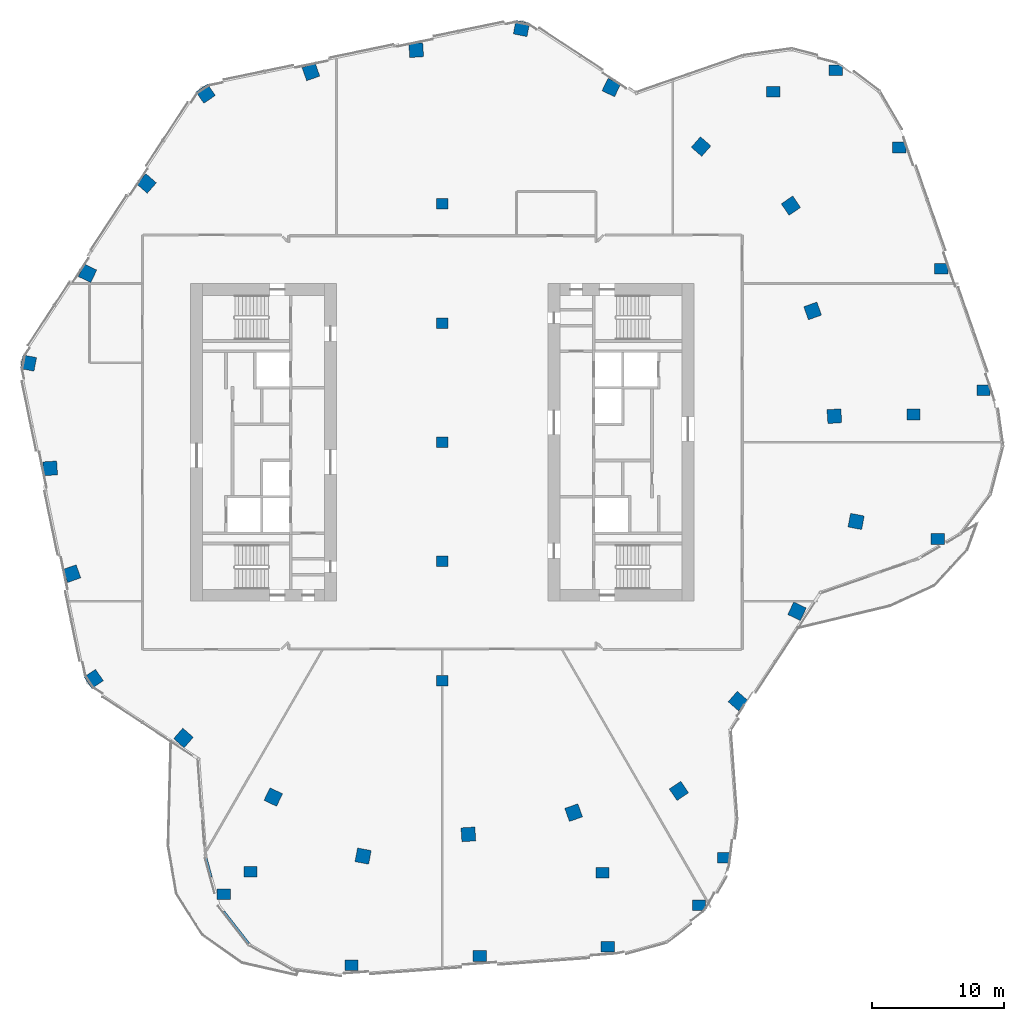
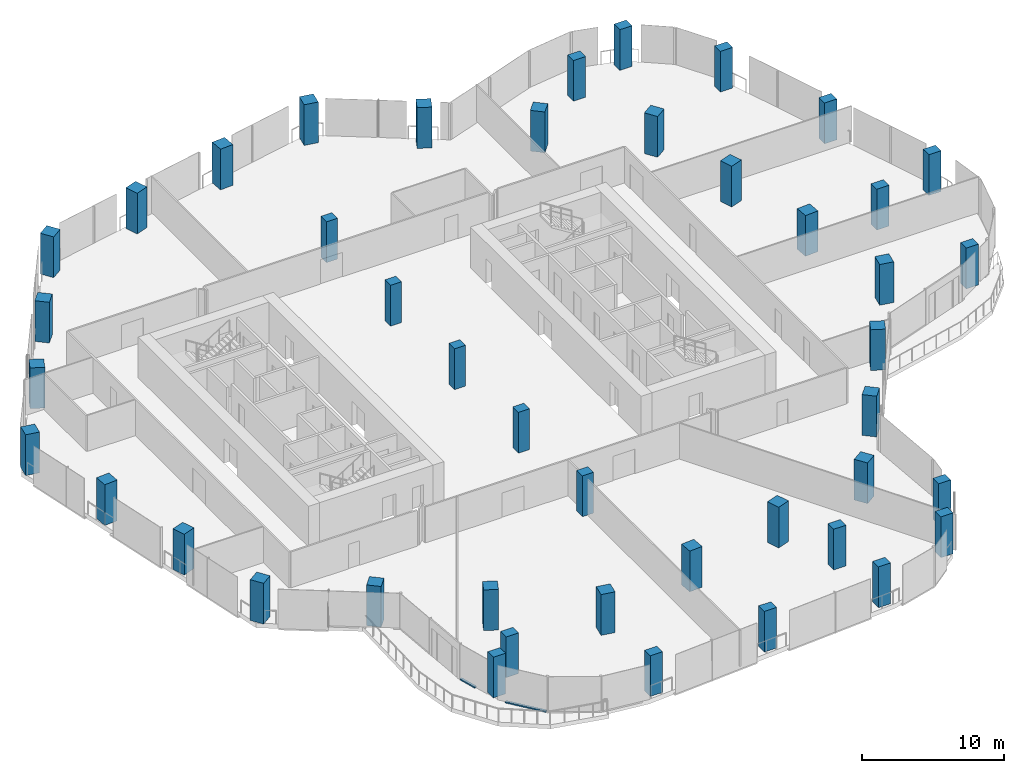
# One storey, part 1 of 26: 44 columns, 2 members, 2 elements without a shape of their own.
"""IFC4 building model written with IfcOpenShell, lengths in metres."""

from ifc_helpers import new_model, si_unit, direction, frame, origin, origin_2d, place, context, subcontext, project, spatial, rectangle, extrude, material, material_profile, profile_set, type_object, element, aggregate, save


model = new_model("IFC4")

# Units and contexts
model_context = context("Model", 3, precision=1e-05, world=origin(), true_north=direction((0.0, 1.0)))
body_context = subcontext(model_context, "Body", "Model", "MODEL_VIEW")
ifc_project = project(units=[si_unit("LENGTHUNIT", "METRE"), si_unit("AREAUNIT", "SQUARE_METRE"), si_unit("VOLUMEUNIT", "CUBIC_METRE"), si_unit("PLANEANGLEUNIT", "RADIAN"), si_unit("MASSUNIT", "GRAM", prefix="KILO")], contexts=[model_context])

# Site, building, storey
site_placement = place(None, origin())
site = spatial("IfcSite", under=ifc_project, at=site_placement, CompositionType="ELEMENT")
building_placement = place(site_placement, origin())
building = spatial("IfcBuilding", under=site, at=building_placement, Name="Orlundy Tower", CompositionType="ELEMENT")
storey_placement = place(building_placement, frame((0.0, 0.0, 232.0)))
storey = spatial("IfcBuildingStorey", under=building, at=storey_placement, Name="L61", CompositionType="ELEMENT", Elevation=232.0)

# Columns
ifc_material_1 = material(Name="Concrete C60/75", Category="concrete")
ifc_material_profile_1 = material_profile(ifc_material_1, rectangle(XDim=1.0, YDim=0.800048828125, at=origin_2d()), Name="RC1000X800")
ifc_profile_set_1 = profile_set([ifc_material_profile_1], Name="Concrete C60/75")
column_type_1 = type_object("IfcColumnType", Name="RC COLUMN RC1000X800 C60/75", PredefinedType="COLUMN", material=ifc_profile_set_1)
for number, where, z_axis, x_axis, name in (
    (1, (37.423095703125, -7.302001953125, 0.0), (0.0, 0.0, 1.0), (1.0, 0.0, 0.0), "Column C-A1-1 L61"),
    (2, (40.873046875, 3.93798828125, 0.0), (0.0, 0.0, 1.0), (1.0, 0.0, 0.0), "Column C-A2-5 L61"),
    (3, (35.5830078125, 2.09912109375, 0.0), (0.0, 0.0, 1.0), (1.0, 0.0, 0.0), "Column C-A2-6 L61"),
    (4, (37.68798828125, 13.10009765625, 0.0), (0.0, 0.0, 1.0), (1.0, 0.0, 0.0), "Column C-A3-5 L61"),
    (5, (34.50390625, 22.261962890625, 0.0), (0.0, 0.0, 1.0), (1.0, 0.0, 0.0), "Column C-A4-5 L61"),
    (6, (29.7119140625, 28.10595703125, 0.0), (0.0, 0.0, 1.0), (1.0, 0.0, 0.0), "Column C-A5-5 L61"),
    (7, (24.989990234375, 26.465087890625, 0.0), (0.0, 0.0, 1.0), (1.0, 0.0, 0.0), "Column C-A5-6 L61"),
    (8, (-16.4970703125, -34.132080078125, 0.0), (0.0, 0.0, 1.0), (1.0, 0.0, 0.0), "Column C-B1-1 L61"),
    (9, (-14.47509765625, -32.430908203125, 0.0), (0.0, 0.0, 1.0), (1.0, 0.0, 0.0), "Column C-B1-6 L61"),
    (10, (-6.847900390625, -39.501953125, 0.0), (0.0, 0.0, 1.0), (1.0, 0.0, 0.0), "Column C-B2-5 L61"),
    (11, (2.825927734375, -38.797119140625, 0.0), (0.0, 0.0, 1.0), (1.0, 0.0, 0.0), "Column C-B3-5 L61"),
    (12, (12.5009765625, -38.092041015625, 0.0), (0.0, 0.0, 1.0), (1.0, 0.0, 0.0), "Column C-B4-5 L61"),
    (13, (12.093994140625, -32.507080078125, 0.0), (0.0, 0.0, 1.0), (1.0, 0.0, 0.0), "Column C-B4-6 L61"),
    (14, (21.27001953125, -31.3798828125, 0.0), (0.0, 0.0, 1.0), (1.0, 0.0, 0.0), "Column C-B5-1 L61"),
    (15, (19.385986328125, -34.97705078125, 0.0), (0.0, 0.0, 1.0), (1.0, 0.0, 0.0), "Column C-B5-5 L61"),
):
    element("IfcColumn", number, at=place(storey_placement, frame(where, z_axis=z_axis, x_axis=x_axis)), inside=storey, type_object=column_type_1, Name=name, PredefinedType="COLUMN", context=body_context, shape_type="SweptSolid", body=[
        extrude(rectangle(XDim=1.0, YDim=0.800048828125, at=origin_2d()), origin(), (0.0, 0.0, 1.0), 3.5),
    ])
ifc_material_2 = material(Name="Concrete C60/75", Category="concrete")
ifc_material_profile_2 = material_profile(ifc_material_2, rectangle(XDim=1.050048828125, YDim=1.050048828125, at=origin_2d()), Name="RC1050X1050")
ifc_profile_set_2 = profile_set([ifc_material_profile_2], Name="Concrete C60/75")
column_type_2 = type_object("IfcColumnType", Name="RC COLUMN RC1050X1050 C60/75", PredefinedType="COLUMN", material=ifc_profile_set_2)
for number, where, z_axis, x_axis, name in (
    (16, (5.98095703125, 31.2548828125, 0.0), (0.0, 0.0, 1.0), (0.187947040317, 0.982179163919, 0.0), "Column C-H01 L61"),
    (17, (12.763916015625, 26.7939453125, 0.0), (0.0, 0.0, 1.0), (0.430069959039, 0.902795563975, 0.0), "Column C-H02 L61"),
    (18, (19.547119140625, 22.3330078125, 0.0), (0.0, 0.0, 1.0), (0.658610663802, 0.752483882569, 0.0), "Column C-H03 L61"),
    (19, (26.330078125, 17.87109375, 0.0), (0.0, 0.0, 1.0), (0.827413975623, 0.561592479423, 0.0), "Column C-H04 L61"),
    (20, (27.971923828125, 9.9208984375, 0.0), (0.0, 0.0, 1.0), (0.942478249733, 0.334267480891, 0.0), "Column C-H05 L61"),
    (21, (29.613037109375, 1.969970703125, 0.0), (0.0, 0.0, 1.0), (0.997794522634, 0.066378389562, 0.0), "Column C-H06 L61"),
    (22, (31.2548828125, -5.98095703125, 0.0), (0.0, 0.0, 1.0), (0.982179163919, -0.187947040317, 0.0), "Column C-H07 L61"),
    (23, (26.7939453125, -12.763916015625, 0.0), (0.0, 0.0, 1.0), (0.902795563975, -0.430069959039, 0.0), "Column C-H08 L61"),
    (24, (22.3330078125, -19.547119140625, 0.0), (0.0, 0.0, 1.0), (0.752483882569, -0.658610663802, 0.0), "Column C-H09 L61"),
    (25, (17.87109375, -26.330078125, 0.0), (0.0, 0.0, 1.0), (0.561592479423, -0.827413975623, 0.0), "Column C-H10 L61"),
    (26, (9.9208984375, -27.971923828125, 0.0), (0.0, 0.0, 1.0), (0.334267480891, -0.942478249733, 0.0), "Column C-H11 L61"),
    (27, (1.969970703125, -29.613037109375, 0.0), (0.0, 0.0, 1.0), (0.066378389562, -0.997794522634, 0.0), "Column C-H12 L61"),
    (28, (-5.98095703125, -31.2548828125, 0.0), (0.0, 0.0, 1.0), (-0.187947040317, -0.982179163919, 0.0), "Column C-H13 L61"),
    (29, (-12.763916015625, -26.7939453125, 0.0), (0.0, 0.0, 1.0), (-0.430069959039, -0.902795563975, 0.0), "Column C-H14 L61"),
    (30, (-19.547119140625, -22.3330078125, 0.0), (0.0, 0.0, 1.0), (-0.658610663802, -0.752483882569, 0.0), "Column C-H15 L61"),
    (31, (-26.330078125, -17.87109375, 0.0), (0.0, 0.0, 1.0), (-0.827413975623, -0.561592479423, 0.0), "Column C-H16 L61"),
    (32, (-27.971923828125, -9.9208984375, 0.0), (0.0, 0.0, 1.0), (-0.942478249733, -0.334267480891, 0.0), "Column C-H17 L61"),
    (33, (-29.613037109375, -1.969970703125, 0.0), (0.0, 0.0, 1.0), (-0.997794522634, -0.066378389562, 0.0), "Column C-H18 L61"),
    (34, (-31.2548828125, 5.98095703125, 0.0), (0.0, 0.0, 1.0), (-0.982179163919, 0.187947040317, 0.0), "Column C-H19 L61"),
    (35, (-26.7939453125, 12.763916015625, 0.0), (0.0, 0.0, 1.0), (-0.902795563975, 0.430069959039, 0.0), "Column C-H20 L61"),
    (36, (-22.3330078125, 19.547119140625, 0.0), (0.0, 0.0, 1.0), (-0.752483882569, 0.658610663802, 0.0), "Column C-H21 L61"),
    (37, (-17.87109375, 26.330078125, 0.0), (0.0, 0.0, 1.0), (-0.561592479423, 0.827413975623, 0.0), "Column C-H22 L61"),
    (38, (-9.9208984375, 27.971923828125, 0.0), (0.0, 0.0, 1.0), (-0.334267480891, 0.942478249733, 0.0), "Column C-H23 L61"),
    (39, (-1.969970703125, 29.613037109375, 0.0), (0.0, 0.0, 1.0), (-0.066378389562, 0.997794522634, 0.0), "Column C-H24 L61"),
):
    element("IfcColumn", number, at=place(storey_placement, frame(where, z_axis=z_axis, x_axis=x_axis)), inside=storey, type_object=column_type_2, Name=name, PredefinedType="COLUMN", context=body_context, shape_type="SweptSolid", body=[
        extrude(rectangle(XDim=1.050048828125, YDim=1.050048828125, at=origin_2d()), origin(), (0.0, 0.0, 1.0), 3.5),
    ])
ifc_material_3 = material(Name="Concrete C60/75", Category="concrete")
ifc_material_profile_3 = material_profile(ifc_material_3, rectangle(XDim=0.89990234375, YDim=0.800048828125, at=origin_2d()), Name="RC900X800")
ifc_profile_set_3 = profile_set([ifc_material_profile_3], Name="Concrete C60/75")
column_type_3 = type_object("IfcColumnType", Name="RC COLUMN RC900X800 C60/75", PredefinedType="COLUMN", material=ifc_profile_set_3)
for number, where, z_axis, x_axis, name in (
    (40, (0.0, -18.0, 0.0), (0.0, 0.0, 1.0), (1.0, 0.0, 0.0), "Column C-M1 L61"),
    (41, (0.0, -9.0, 0.0), (0.0, 0.0, 1.0), (1.0, 0.0, 0.0), "Column C-M2 L61"),
    (42, (0.0, 0.0, 0.0), (0.0, 0.0, 1.0), (1.0, 0.0, 0.0), "Column C-M3 L61"),
    (43, (0.0, 9.0, 0.0), (0.0, 0.0, 1.0), (1.0, 0.0, 0.0), "Column C-M4 L61"),
    (44, (0.0, 18.0, 0.0), (0.0, 0.0, 1.0), (1.0, 0.0, 0.0), "Column C-M5 L61"),
):
    element("IfcColumn", number, at=place(storey_placement, frame(where, z_axis=z_axis, x_axis=x_axis)), inside=storey, type_object=column_type_3, Name=name, PredefinedType="COLUMN", context=body_context, shape_type="SweptSolid", body=[
        extrude(rectangle(XDim=0.89990234375, YDim=0.800048828125, at=origin_2d()), origin(), (0.0, 0.0, 1.0), 3.5),
    ])

# Curtain wall, member
ifc_material_4 = material(Name="Aluminium bronze anodised", Category="aluminium")
curtain_wall_type = type_object("IfcCurtainWallType", Name="CW1 wall", PredefinedType="NOTDEFINED", material=ifc_material_4)
curtain_wall_1_placement = place(storey_placement, origin())
curtain_wall_1 = element("IfcCurtainWall", 45, at=curtain_wall_1_placement, inside=storey, type_object=curtain_wall_type, Name="CW1 run 010", PredefinedType="NOTDEFINED")
ifc_material_5 = material(Name="Aluminium bronze anodised", Category="aluminium")
ifc_material_profile_4 = material_profile(ifc_material_5, rectangle(XDim=0.179931640625, YDim=0.1201171875, at=origin_2d()), Name="CW1 transom 180x120")
ifc_profile_set_4 = profile_set([ifc_material_profile_4], Name="Aluminium bronze anodised")
member_type = type_object("IfcMemberType", Name="CW1 transom 180x120", PredefinedType="USERDEFINED", material=ifc_profile_set_4)
member_1_placement = place(storey_placement, frame((-14.619384765625, -37.869384765625, 0.06005859375), z_axis=(-0.614596599734, 0.788841568121, 0.0), x_axis=(-0.788841568121, -0.614596599734, 0.0)))
member_1 = element("IfcMember", 46, at=member_1_placement, type_object=member_type, Name="CW1 transom", ObjectType="TRANSOM", PredefinedType="USERDEFINED", context=body_context, shape_type="SweptSolid", body=[
    extrude(rectangle(XDim=0.179931640625, YDim=0.1201171875, at=origin_2d()), origin(), (0.0, 0.0, 1.0), 3.0908203125),
])
aggregate(curtain_wall_1, [member_1])

curtain_wall_2_placement = place(storey_placement, origin())
curtain_wall_2 = element("IfcCurtainWall", 47, at=curtain_wall_2_placement, inside=storey, type_object=curtain_wall_type, Name="CW1 run 011", PredefinedType="NOTDEFINED")
member_2_placement = place(storey_placement, frame((-17.458251953125, -32.8330078125, 0.06005859375), z_axis=(-0.265642055328, 0.964071728888, 0.0), x_axis=(-0.964071728888, -0.265642055328, 0.0)))
member_2 = element("IfcMember", 48, at=member_2_placement, type_object=member_type, Name="CW1 transom", ObjectType="TRANSOM", PredefinedType="USERDEFINED", context=body_context, shape_type="SweptSolid", body=[
    extrude(rectangle(XDim=0.179931640625, YDim=0.1201171875, at=origin_2d()), origin(), (0.0, 0.0, 1.0), 1.472412109375),
])
aggregate(curtain_wall_2, [member_2])

save(model, "model.ifc")
